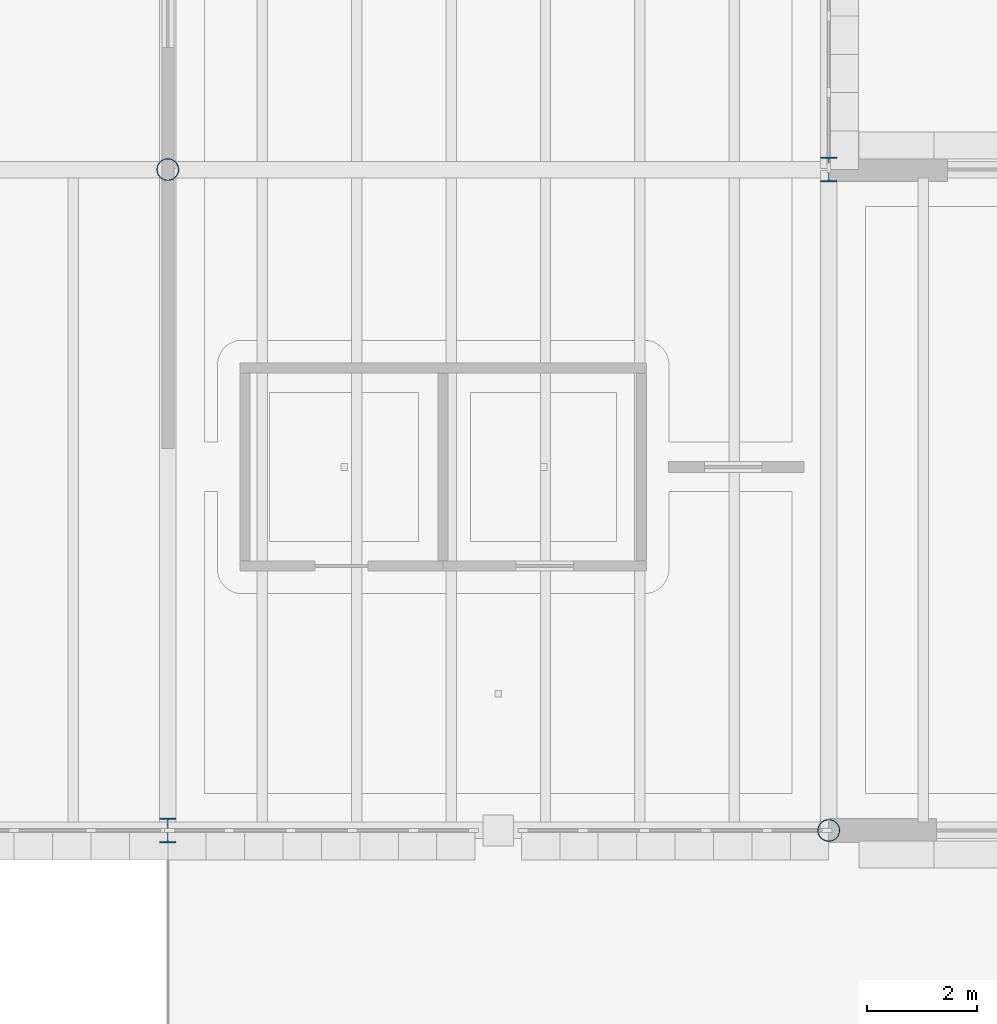
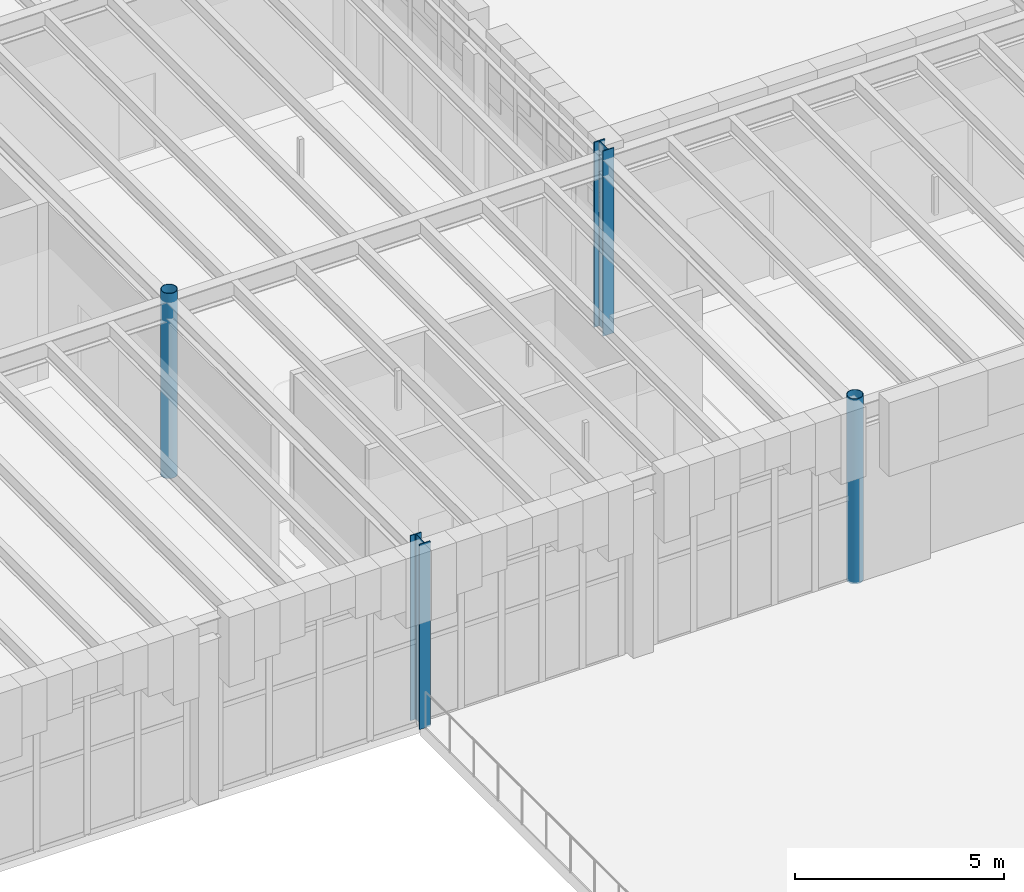
# One storey, part 5 of 103: 4 columns.
"""IFC4 building model written with IfcOpenShell, lengths in metres."""

from ifc_helpers import new_model, si_unit, direction, frame, origin, origin_2d, place, context, subcontext, project, spatial, hollow_circle, i_section, extrude, material, material_profile, profile_set, type_object, element, save


model = new_model("IFC4")

# Units and contexts
model_context = context("Model", 3, precision=1e-05, world=origin(), true_north=direction((0.0, 1.0)))
body_context = subcontext(model_context, "Body", "Model", "MODEL_VIEW")
ifc_project = project(units=[si_unit("LENGTHUNIT", "METRE"), si_unit("AREAUNIT", "SQUARE_METRE"), si_unit("VOLUMEUNIT", "CUBIC_METRE"), si_unit("PLANEANGLEUNIT", "RADIAN"), si_unit("MASSUNIT", "GRAM", prefix="KILO")], contexts=[model_context])

# Site, building, storey
site_placement = place(None, origin())
site = spatial("IfcSite", under=ifc_project, at=site_placement, CompositionType="ELEMENT")
building_placement = place(site_placement, origin())
building = spatial("IfcBuilding", under=site, at=building_placement, Name="Zlatogorsky Bluff Art Gallery", CompositionType="ELEMENT")
storey_placement = place(building_placement, origin())
storey = spatial("IfcBuildingStorey", under=building, at=storey_placement, Name="L00", CompositionType="ELEMENT", Elevation=0.0)

# Columns
ifc_material = material(Name="Steel S355", Category="steel")
ifc_material_profile_1 = material_profile(ifc_material, i_section(OverallWidth=0.300048828125, OverallDepth=0.449951171875, WebThickness=0.013916015625, FlangeThickness=0.02587890625, FilletRadius=0.027099609375, at=origin_2d()), Name="HEB 450")
ifc_profile_set_1 = profile_set([ifc_material_profile_1], Name="Steel S355")
column_type_1 = type_object("IfcColumnType", Name="Column CL-03 HEB 450", PredefinedType="COLUMN", material=ifc_profile_set_1)
for number, where, z_axis, x_axis, name in (
    (1, (48.0, 84.0, 0.0), (0.0, 0.0, 1.0), (1.0, 0.0, 0.0), "Column CL-03 L00 E9"),
    (2, (60.0, 96.0, 0.0), (0.0, 0.0, 1.0), (1.0, 0.0, 0.0), "Column CL-03 L00 F10"),
):
    element("IfcColumn", number, at=place(storey_placement, frame(where, z_axis=z_axis, x_axis=x_axis)), inside=storey, type_object=column_type_1, Name=name, PredefinedType="COLUMN", context=body_context, shape_type="SweptSolid", body=[
        extrude(i_section(OverallWidth=0.300048828125, OverallDepth=0.449951171875, WebThickness=0.013916015625, FlangeThickness=0.02587890625, FilletRadius=0.027099609375, at=origin_2d()), origin(), (0.0, 0.0, 1.0), 5.39990234375),
    ])
ifc_material_profile_2 = material_profile(ifc_material, hollow_circle(Radius=0.203125, WallThickness=0.01611328125, at=origin_2d()), Name="CHS 406.4x16")
ifc_profile_set_2 = profile_set([ifc_material_profile_2], Name="Steel S355")
column_type_2 = type_object("IfcColumnType", Name="Column CL-09 CHS 406.4x16", PredefinedType="COLUMN", material=ifc_profile_set_2)
for number, where, z_axis, x_axis, name in (
    (3, (48.0, 96.0, 0.0), (0.0, 0.0, 1.0), (1.0, 0.0, 0.0), "Column CL-09 L00 E10"),
    (4, (60.0, 84.0, 0.0), (0.0, 0.0, 1.0), (1.0, 0.0, 0.0), "Column CL-09 L00 F9"),
):
    element("IfcColumn", number, at=place(storey_placement, frame(where, z_axis=z_axis, x_axis=x_axis)), inside=storey, type_object=column_type_2, Name=name, PredefinedType="COLUMN", context=body_context, shape_type="SweptSolid", body=[
        extrude(hollow_circle(Radius=0.203125, WallThickness=0.01611328125, at=origin_2d()), origin(), (0.0, 0.0, 1.0), 5.39990234375),
    ])

save(model, "model.ifc")
